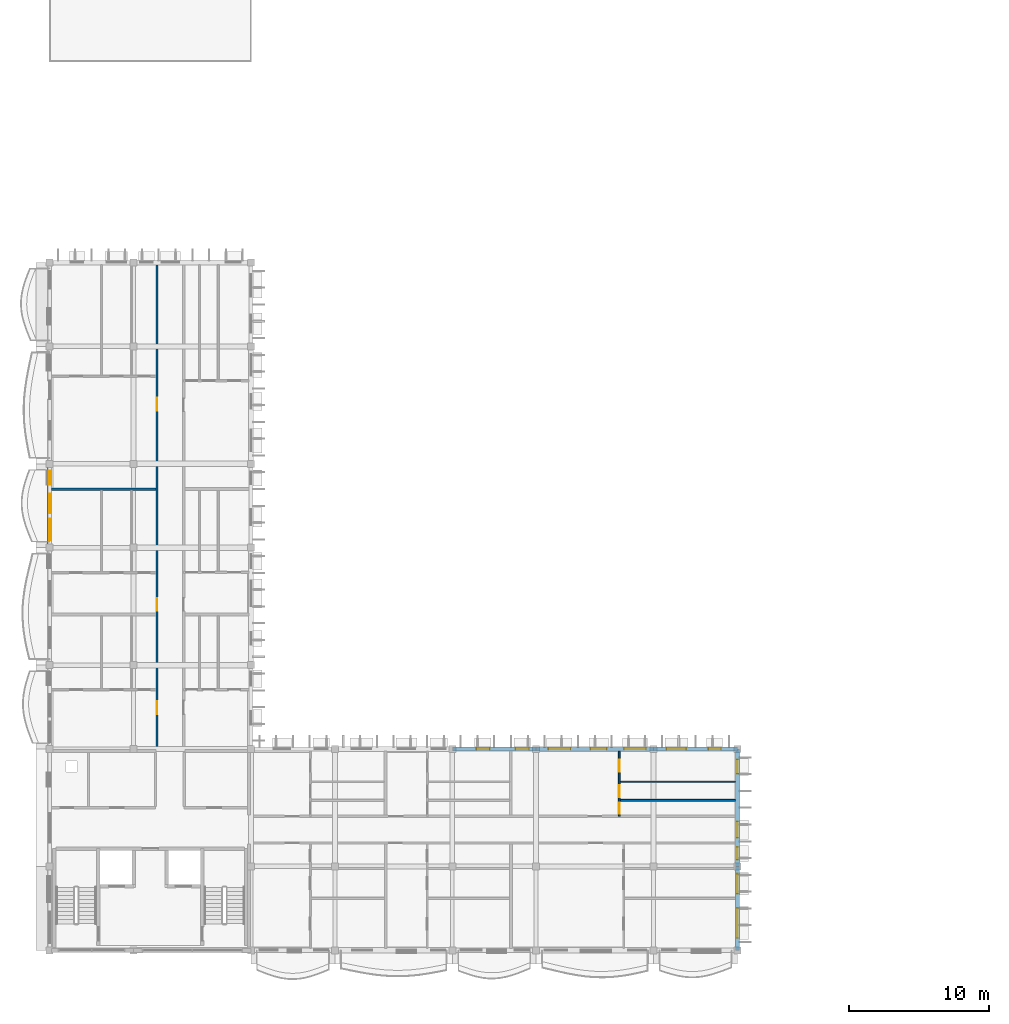
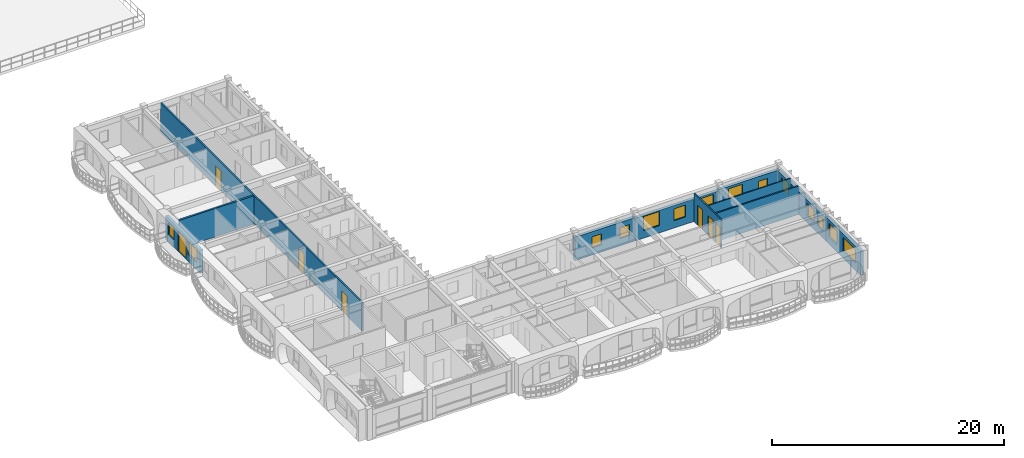
# One storey, part 17 of 66: 14 windows, 11 walls, 7 doors, 21 openings.
"""IFC4 building model written with IfcOpenShell, lengths in metres."""

from ifc_helpers import new_model, si_unit, direction, frame, frame_2d, origin, place, context, subcontext, project, spatial, rectangle, extrude, material, layer, layer_set, type_object, element, fill, save


model = new_model("IFC4")

# Units and contexts
model_context = context("Model", 3, precision=1e-05, world=origin(), true_north=direction((0.0, 1.0)))
body_context = subcontext(model_context, "Body", "Model", "MODEL_VIEW")
ifc_project = project(units=[si_unit("LENGTHUNIT", "METRE"), si_unit("AREAUNIT", "SQUARE_METRE"), si_unit("VOLUMEUNIT", "CUBIC_METRE"), si_unit("PLANEANGLEUNIT", "RADIAN"), si_unit("MASSUNIT", "GRAM", prefix="KILO"), si_unit("THERMODYNAMICTEMPERATUREUNIT", "KELVIN")], contexts=[model_context])

# Site, building, storey
site_placement = place(None, origin())
site = spatial("IfcSite", under=ifc_project, at=site_placement, CompositionType="ELEMENT")
building_placement = place(site_placement, origin())
building = spatial("IfcBuilding", under=site, at=building_placement, Name="Thalorik Housing Commons", CompositionType="ELEMENT")
storey_placement = place(building_placement, frame((0.0, 0.0, 21.300048828125)))
storey = spatial("IfcBuildingStorey", under=building, at=storey_placement, Name="L06", CompositionType="ELEMENT", Elevation=21.300048828125)

# Wall, openings, doors
ifc_material_1 = material(Name="Masonry fire-rated corridor wall", Category="masonry")
ifc_layer_1 = layer(ifc_material_1, 0.14990234375, Name="Masonry fire-rated corridor wall", Category="masonry")
ifc_layer_set_1 = layer_set([ifc_layer_1], Name="Masonry fire-rated corridor wall")
wall_type_1 = type_object("IfcWallType", Name="ARC-WAL-CORR-150", PredefinedType="PARTITIONING", material=ifc_layer_set_1)
wall_1_placement = place(storey_placement, frame((16.080078125, 22.659912109375, 0.0), z_axis=(0.0, 0.0, 1.0), x_axis=(0.0, 1.0, 0.0)))
wall_1 = element("IfcWall", 1, at=wall_1_placement, inside=storey, type_object=wall_type_1, Name="L06 Block C W Corridor Wall 1", PredefinedType="PARTITIONING", context=body_context, shape_type="SweptSolid", body=[
    extrude(rectangle(XDim=34.79296875, YDim=0.14990234375, at=frame_2d((17.396484375, 0.0))), origin(), (0.0, 0.0, 1.0), 3.0),
])
opening_1_placement = place(wall_1_placement, frame((2.626708984375, 0.0, 0.0)))
opening_1 = element("IfcOpeningElement", 2, at=opening_1_placement, cuts=wall_1, Name="Opening ID-1812", PredefinedType="OPENING", context=body_context, shape_type="SweptSolid", body=[
    extrude(rectangle(XDim=0.919921875, YDim=2.10009765625, at=frame_2d((0.4599609375, 1.050048828125))), frame((0.0, 0.0849609375, 0.0), z_axis=(0.0, -1.0, 0.0), x_axis=(1.0, 0.0, 0.0)), (0.0, 0.0, 1.0), 0.169921875),
])
opening_2_placement = place(wall_1_placement, frame((10.02001953125, 0.0, 0.0)))
opening_2 = element("IfcOpeningElement", 3, at=opening_2_placement, cuts=wall_1, Name="Opening ID-1813", PredefinedType="OPENING", context=body_context, shape_type="SweptSolid", body=[
    extrude(rectangle(XDim=0.919921875, YDim=2.10009765625, at=frame_2d((0.4599609375, 1.050048828125))), frame((0.0, 0.0849609375, 0.0), z_axis=(0.0, -1.0, 0.0), x_axis=(1.0, 0.0, 0.0)), (0.0, 0.0, 1.0), 0.169921875),
])
opening_3_placement = place(wall_1_placement, frame((24.354736328125, 0.0, 0.0)))
opening_3 = element("IfcOpeningElement", 4, at=opening_3_placement, cuts=wall_1, Name="Opening ID-1814", PredefinedType="OPENING", context=body_context, shape_type="SweptSolid", body=[
    extrude(rectangle(XDim=0.919921875, YDim=2.10009765625, at=frame_2d((0.4599609375, 1.050048828125))), frame((0.0, 0.0849609375, 0.0), z_axis=(0.0, -1.0, 0.0), x_axis=(1.0, 0.0, 0.0)), (0.0, 0.0, 1.0), 0.169921875),
])
ifc_material_2 = material(Name="Solid core hardwood timber", Category="wood")
door_type_1 = type_object("IfcDoorType", Name="ARC-DR-FD30-920", OperationType="NOTDEFINED", PredefinedType="DOOR", material=ifc_material_2)
door_1_placement = place(opening_1_placement, origin())
door_1 = element("IfcDoor", 5, at=door_1_placement, inside=storey, type_object=door_type_1, Name="L06 Flat CW-1A Entrance Door", OperationType="SINGLE_SWING_LEFT", OverallHeight=2.10009765625, OverallWidth=0.919921875, PredefinedType="DOOR", context=body_context, shape_type="SweptSolid", body=[
    extrude(rectangle(XDim=0.919921875, YDim=2.10009765625, at=frame_2d((0.4599609375, 1.050048828125))), frame((0.0, 0.02490234375, 0.0), z_axis=(0.0, -1.0, 0.0), x_axis=(1.0, 0.0, 0.0)), (0.0, 0.0, 1.0), 0.050048828125),
])
fill(opening_1, door_1)
door_2_placement = place(opening_2_placement, origin())
door_2 = element("IfcDoor", 6, at=door_2_placement, inside=storey, type_object=door_type_1, Name="L06 Flat CW-2A Entrance Door", OperationType="SINGLE_SWING_RIGHT", OverallHeight=2.10009765625, OverallWidth=0.919921875, PredefinedType="DOOR", context=body_context, shape_type="SweptSolid", body=[
    extrude(rectangle(XDim=0.919921875, YDim=2.10009765625, at=frame_2d((0.4599609375, 1.050048828125))), frame((0.0, 0.02490234375, 0.0), z_axis=(0.0, -1.0, 0.0), x_axis=(1.0, 0.0, 0.0)), (0.0, 0.0, 1.0), 0.050048828125),
])
fill(opening_2, door_2)
door_3_placement = place(opening_3_placement, origin())
door_3 = element("IfcDoor", 7, at=door_3_placement, inside=storey, type_object=door_type_1, Name="L06 Flat CW-3A Entrance Door", OperationType="SINGLE_SWING_LEFT", OverallHeight=2.10009765625, OverallWidth=0.919921875, PredefinedType="DOOR", context=body_context, shape_type="SweptSolid", body=[
    extrude(rectangle(XDim=0.919921875, YDim=2.10009765625, at=frame_2d((0.4599609375, 1.050048828125))), frame((0.0, 0.02490234375, 0.0), z_axis=(0.0, -1.0, 0.0), x_axis=(1.0, 0.0, 0.0)), (0.0, 0.0, 1.0), 0.050048828125),
])
fill(opening_3, door_3)

# Wall, openings, door, windows
ifc_material_3 = material(Name="White precast concrete C40/50", Category="concrete")
ifc_layer_2 = layer(ifc_material_3, 0.2900390625, Name="White precast concrete C40/50", Category="concrete")
ifc_layer_set_2 = layer_set([ifc_layer_2], Name="White precast concrete C40/50")
wall_type_2 = type_object("IfcWallType", Name="ARC-WAL-EXT-290", PredefinedType="STANDARD", material=ifc_layer_set_2)
wall_2_placement = place(storey_placement, frame((8.39990234375, 43.199951171875, 0.0), z_axis=(0.0, 0.0, 1.0), x_axis=(0.0, -1.0, 0.0)))
wall_2 = element("IfcWall", 8, at=wall_2_placement, inside=storey, type_object=wall_type_2, Name="L06 Exterior Wall WAL-EXT-L06-C-0998", PredefinedType="STANDARD", context=body_context, shape_type="SweptSolid", body=[
    extrude(rectangle(XDim=6.0, YDim=0.2900390625, at=frame_2d((3.0, 0.0))), origin(), (0.0, 0.0, 1.0), 2.445068359375),
])
opening_4_placement = place(wall_2_placement, frame((2.139892578125, 0.0, 0.0)))
opening_4 = element("IfcOpeningElement", 9, at=opening_4_placement, cuts=wall_2, Name="Opening ED-0330", PredefinedType="OPENING", context=body_context, shape_type="SweptSolid", body=[
    extrude(rectangle(XDim=1.39990234375, YDim=2.199951171875, at=frame_2d((0.699951171875, 1.10009765625))), frame((0.0, 0.155029296875, 0.0), z_axis=(0.0, -1.0, 0.0), x_axis=(1.0, 0.0, 0.0)), (0.0, 0.0, 1.0), 0.31005859375),
])
opening_5_placement = place(wall_2_placement, frame((0.5, 0.0, 0.780029296875)))
opening_5 = element("IfcOpeningElement", 10, at=opening_5_placement, cuts=wall_2, Name="Opening W-02", PredefinedType="OPENING", context=body_context, shape_type="SweptSolid", body=[
    extrude(rectangle(XDim=1.0, YDim=1.25, at=frame_2d((0.5, 0.625))), frame((0.0, 0.155029296875, 0.0), z_axis=(0.0, -1.0, 0.0), x_axis=(1.0, 0.0, 0.0)), (0.0, 0.0, 1.0), 0.31005859375),
])
opening_6_placement = place(wall_2_placement, frame((3.93994140625, 0.0, 0.780029296875)))
opening_6 = element("IfcOpeningElement", 11, at=opening_6_placement, cuts=wall_2, Name="Opening W-52", PredefinedType="OPENING", context=body_context, shape_type="SweptSolid", body=[
    extrude(rectangle(XDim=1.52001953125, YDim=1.419921875, at=frame_2d((0.760009765625, 0.7099609375))), frame((0.0, 0.155029296875, 0.0), z_axis=(0.0, -1.0, 0.0), x_axis=(1.0, 0.0, 0.0)), (0.0, 0.0, 1.0), 0.31005859375),
])
ifc_material_4 = material(Name="Anodised aluminium and laminated safety glass", Category="aluminium")
door_type_2 = type_object("IfcDoorType", Name="ARC-DR-BAL-1400", OperationType="NOTDEFINED", PredefinedType="DOOR", material=ifc_material_4)
door_4_placement = place(opening_4_placement, frame((1.39990234375, 0.0, 0.0), z_axis=(0.0, 0.0, 1.0), x_axis=(-1.0, 0.0, 0.0)))
door_4 = element("IfcDoor", 12, at=door_4_placement, inside=storey, type_object=door_type_2, Name="L06 Block C Balcony Glazed Door", OperationType="SLIDING_TO_LEFT", OverallHeight=2.199951171875, OverallWidth=1.39990234375, PredefinedType="DOOR", context=body_context, shape_type="SweptSolid", body=[
    extrude(rectangle(XDim=1.39990234375, YDim=2.199951171875, at=frame_2d((0.699951171875, 1.10009765625))), frame((0.0, 0.02490234375, 0.0), z_axis=(0.0, -1.0, 0.0), x_axis=(1.0, 0.0, 0.0)), (0.0, 0.0, 1.0), 0.050048828125),
])
fill(opening_4, door_4)
ifc_material_5 = material(Name="Anodised aluminium and solar-control low-E glass", Category="aluminium")
window_type_1 = type_object("IfcWindowType", Name="ARC-WIN-02", PartitioningType="SINGLE_PANEL", PredefinedType="WINDOW", material=ifc_material_5)
window_1_placement = place(opening_5_placement, origin())
window_1 = element("IfcWindow", 13, at=window_1_placement, inside=storey, type_object=window_type_1, Name="L06 Facade Window 1845", OverallHeight=1.25, OverallWidth=1.0, PartitioningType="SINGLE_PANEL", PredefinedType="WINDOW", context=body_context, shape_type="SweptSolid", body=[
    extrude(rectangle(XDim=1.0, YDim=1.25, at=frame_2d((0.5, 0.625))), frame((0.0, 0.030029296875, 0.0), z_axis=(0.0, -1.0, 0.0), x_axis=(1.0, 0.0, 0.0)), (0.0, 0.0, 1.0), 0.06005859375),
])
fill(opening_5, window_1)
window_type_2 = type_object("IfcWindowType", Name="ARC-WIN-52", PartitioningType="SINGLE_PANEL", PredefinedType="WINDOW", material=ifc_material_5)
window_2_placement = place(opening_6_placement, origin())
window_2 = element("IfcWindow", 14, at=window_2_placement, inside=storey, type_object=window_type_2, Name="L06 Facade Window 1846", OverallHeight=1.419921875, OverallWidth=1.52001953125, PartitioningType="SINGLE_PANEL", PredefinedType="WINDOW", context=body_context, shape_type="SweptSolid", body=[
    extrude(rectangle(XDim=1.52001953125, YDim=1.419921875, at=frame_2d((0.760009765625, 0.7099609375))), frame((0.0, 0.030029296875, 0.0), z_axis=(0.0, -1.0, 0.0), x_axis=(1.0, 0.0, 0.0)), (0.0, 0.0, 1.0), 0.06005859375),
])
fill(opening_6, window_2)

# Wall, openings, windows
wall_3_placement = place(storey_placement, frame((57.60009765625, 8.39990234375, 0.0), z_axis=(0.0, 0.0, 1.0), x_axis=(0.0, 1.0, 0.0)))
wall_3 = element("IfcWall", 15, at=wall_3_placement, inside=storey, type_object=wall_type_2, Name="L06 Exterior Wall WAL-EXT-L06-C-1010", PredefinedType="STANDARD", context=body_context, shape_type="SweptSolid", body=[
    extrude(rectangle(XDim=6.0, YDim=0.2900390625, at=frame_2d((3.0, 0.0))), origin(), (0.0, 0.0, 1.0), 2.574951171875),
])
opening_7_placement = place(wall_3_placement, frame((0.893798828125, 0.0, 0.780029296875)))
opening_7 = element("IfcOpeningElement", 16, at=opening_7_placement, cuts=wall_3, Name="Opening W-64", PredefinedType="OPENING", context=body_context, shape_type="SweptSolid", body=[
    extrude(rectangle(XDim=2.1201171875, YDim=1.43994140625, at=frame_2d((1.06005859375, 0.719970703125))), frame((0.0, 0.155029296875, 0.0), z_axis=(0.0, -1.0, 0.0), x_axis=(1.0, 0.0, 0.0)), (0.0, 0.0, 1.0), 0.31005859375),
])
opening_8_placement = place(wall_3_placement, frame((4.063720703125, 0.0, 0.780029296875)))
opening_8 = element("IfcOpeningElement", 17, at=opening_8_placement, cuts=wall_3, Name="Opening W-08", PredefinedType="OPENING", context=body_context, shape_type="SweptSolid", body=[
    extrude(rectangle(XDim=1.39990234375, YDim=1.449951171875, at=frame_2d((0.699951171875, 0.72509765625))), frame((0.0, 0.155029296875, 0.0), z_axis=(0.0, -1.0, 0.0), x_axis=(1.0, 0.0, 0.0)), (0.0, 0.0, 1.0), 0.31005859375),
])
window_type_3 = type_object("IfcWindowType", Name="ARC-WIN-08", PartitioningType="SINGLE_PANEL", PredefinedType="WINDOW", material=ifc_material_5)
window_3_placement = place(opening_8_placement, origin())
window_3 = element("IfcWindow", 18, at=window_3_placement, inside=storey, type_object=window_type_3, Name="L06 Facade Window 1865", OverallHeight=1.449951171875, OverallWidth=1.39990234375, PartitioningType="SINGLE_PANEL", PredefinedType="WINDOW", context=body_context, shape_type="SweptSolid", body=[
    extrude(rectangle(XDim=1.39990234375, YDim=1.449951171875, at=frame_2d((0.699951171875, 0.72509765625))), frame((0.0, 0.030029296875, 0.0), z_axis=(0.0, -1.0, 0.0), x_axis=(1.0, 0.0, 0.0)), (0.0, 0.0, 1.0), 0.06005859375),
])
fill(opening_8, window_3)
window_type_4 = type_object("IfcWindowType", Name="ARC-WIN-64", PartitioningType="DOUBLE_PANEL_VERTICAL", PredefinedType="WINDOW", material=ifc_material_5)
window_4_placement = place(opening_7_placement, origin())
window_4 = element("IfcWindow", 19, at=window_4_placement, inside=storey, type_object=window_type_4, Name="L06 Facade Window 1864", OverallHeight=1.43994140625, OverallWidth=2.1201171875, PartitioningType="DOUBLE_PANEL_VERTICAL", PredefinedType="WINDOW", context=body_context, shape_type="SweptSolid", body=[
    extrude(rectangle(XDim=2.1201171875, YDim=1.43994140625, at=frame_2d((1.06005859375, 0.719970703125))), frame((0.0, 0.030029296875, 0.0), z_axis=(0.0, -1.0, 0.0), x_axis=(1.0, 0.0, 0.0)), (0.0, 0.0, 1.0), 0.06005859375),
])
fill(opening_7, window_4)

wall_4_placement = place(storey_placement, frame((57.60009765625, 14.39990234375, 0.0), z_axis=(0.0, 0.0, 1.0), x_axis=(0.0, 1.0, 0.0)))
wall_4 = element("IfcWall", 20, at=wall_4_placement, inside=storey, type_object=wall_type_2, Name="L06 Exterior Wall WAL-EXT-L06-C-1011", PredefinedType="STANDARD", context=body_context, shape_type="SweptSolid", body=[
    extrude(rectangle(XDim=8.400146484375, YDim=0.2900390625, at=frame_2d((4.2001953125, 0.0))), origin(), (0.0, 0.0, 1.0), 2.425048828125),
])
opening_9_placement = place(wall_4_placement, frame((0.485107421875, 0.0, 0.780029296875)))
opening_9 = element("IfcOpeningElement", 21, at=opening_9_placement, cuts=wall_4, Name="Opening W-01", PredefinedType="OPENING", context=body_context, shape_type="SweptSolid", body=[
    extrude(rectangle(XDim=0.89990234375, YDim=1.199951171875, at=frame_2d((0.449951171875, 0.60009765625))), frame((0.0, 0.155029296875, 0.0), z_axis=(0.0, -1.0, 0.0), x_axis=(1.0, 0.0, 0.0)), (0.0, 0.0, 1.0), 0.31005859375),
])
opening_10_placement = place(wall_4_placement, frame((2.054931640625, 0.0, 0.780029296875)))
opening_10 = element("IfcOpeningElement", 22, at=opening_10_placement, cuts=wall_4, Name="Opening W-45", PredefinedType="OPENING", context=body_context, shape_type="SweptSolid", body=[
    extrude(rectangle(XDim=1.14990234375, YDim=1.25, at=frame_2d((0.574951171875, 0.625))), frame((0.0, 0.155029296875, 0.0), z_axis=(0.0, -1.0, 0.0), x_axis=(1.0, 0.0, 0.0)), (0.0, 0.0, 1.0), 0.31005859375),
])
opening_11_placement = place(wall_4_placement, frame((6.632568359375, 0.0, 0.780029296875)))
opening_11 = element("IfcOpeningElement", 23, at=opening_11_placement, cuts=wall_4, Name="Opening W-02", PredefinedType="OPENING", context=body_context, shape_type="SweptSolid", body=[
    extrude(rectangle(XDim=1.0, YDim=1.25, at=frame_2d((0.5, 0.625))), frame((0.0, 0.155029296875, 0.0), z_axis=(0.0, -1.0, 0.0), x_axis=(1.0, 0.0, 0.0)), (0.0, 0.0, 1.0), 0.31005859375),
])
window_type_5 = type_object("IfcWindowType", Name="ARC-WIN-01", PartitioningType="SINGLE_PANEL", PredefinedType="WINDOW", material=ifc_material_5)
window_5_placement = place(opening_9_placement, origin())
window_5 = element("IfcWindow", 24, at=window_5_placement, inside=storey, type_object=window_type_5, Name="L06 Facade Window 1866", OverallHeight=1.199951171875, OverallWidth=0.89990234375, PartitioningType="SINGLE_PANEL", PredefinedType="WINDOW", context=body_context, shape_type="SweptSolid", body=[
    extrude(rectangle(XDim=0.89990234375, YDim=1.199951171875, at=frame_2d((0.449951171875, 0.60009765625))), frame((0.0, 0.030029296875, 0.0), z_axis=(0.0, -1.0, 0.0), x_axis=(1.0, 0.0, 0.0)), (0.0, 0.0, 1.0), 0.06005859375),
])
fill(opening_9, window_5)
window_6_placement = place(opening_11_placement, origin())
window_6 = element("IfcWindow", 25, at=window_6_placement, inside=storey, type_object=window_type_1, Name="L06 Facade Window 1868", OverallHeight=1.25, OverallWidth=1.0, PartitioningType="SINGLE_PANEL", PredefinedType="WINDOW", context=body_context, shape_type="SweptSolid", body=[
    extrude(rectangle(XDim=1.0, YDim=1.25, at=frame_2d((0.5, 0.625))), frame((0.0, 0.030029296875, 0.0), z_axis=(0.0, -1.0, 0.0), x_axis=(1.0, 0.0, 0.0)), (0.0, 0.0, 1.0), 0.06005859375),
])
fill(opening_11, window_6)
window_type_6 = type_object("IfcWindowType", Name="ARC-WIN-45", PartitioningType="SINGLE_PANEL", PredefinedType="WINDOW", material=ifc_material_5)
window_7_placement = place(opening_10_placement, origin())
window_7 = element("IfcWindow", 26, at=window_7_placement, inside=storey, type_object=window_type_6, Name="L06 Facade Window 1867", OverallHeight=1.25, OverallWidth=1.14990234375, PartitioningType="SINGLE_PANEL", PredefinedType="WINDOW", context=body_context, shape_type="SweptSolid", body=[
    extrude(rectangle(XDim=1.14990234375, YDim=1.25, at=frame_2d((0.574951171875, 0.625))), frame((0.0, 0.030029296875, 0.0), z_axis=(0.0, -1.0, 0.0), x_axis=(1.0, 0.0, 0.0)), (0.0, 0.0, 1.0), 0.06005859375),
])
fill(opening_10, window_7)

wall_5_placement = place(storey_placement, frame((57.60009765625, 22.800048828125, 0.0), z_axis=(0.0, 0.0, 1.0), x_axis=(-1.0, 0.0, 0.0)))
wall_5 = element("IfcWall", 27, at=wall_5_placement, inside=storey, type_object=wall_type_2, Name="L06 Exterior Wall WAL-EXT-L06-C-1012", PredefinedType="STANDARD", context=body_context, shape_type="SweptSolid", body=[
    extrude(rectangle(XDim=6.0, YDim=0.2900390625, at=frame_2d((3.0, 0.0))), origin(), (0.0, 0.0, 1.0), 2.474853515625),
])
opening_12_placement = place(wall_5_placement, frame((1.179931640625, 0.0, 0.780029296875)))
opening_12 = element("IfcOpeningElement", 28, at=opening_12_placement, cuts=wall_5, Name="Opening W-01", PredefinedType="OPENING", context=body_context, shape_type="SweptSolid", body=[
    extrude(rectangle(XDim=0.89990234375, YDim=1.199951171875, at=frame_2d((0.449951171875, 0.60009765625))), frame((0.0, 0.155029296875, 0.0), z_axis=(0.0, -1.0, 0.0), x_axis=(1.0, 0.0, 0.0)), (0.0, 0.0, 1.0), 0.31005859375),
])
opening_13_placement = place(wall_5_placement, frame((3.669921875, 0.0, 0.780029296875)))
opening_13 = element("IfcOpeningElement", 29, at=opening_13_placement, cuts=wall_5, Name="Opening W-08", PredefinedType="OPENING", context=body_context, shape_type="SweptSolid", body=[
    extrude(rectangle(XDim=1.39990234375, YDim=1.449951171875, at=frame_2d((0.699951171875, 0.72509765625))), frame((0.0, 0.155029296875, 0.0), z_axis=(0.0, -1.0, 0.0), x_axis=(1.0, 0.0, 0.0)), (0.0, 0.0, 1.0), 0.31005859375),
])
window_8_placement = place(opening_12_placement, origin())
window_8 = element("IfcWindow", 30, at=window_8_placement, inside=storey, type_object=window_type_5, Name="L06 Facade Window 1869", OverallHeight=1.199951171875, OverallWidth=0.89990234375, PartitioningType="SINGLE_PANEL", PredefinedType="WINDOW", context=body_context, shape_type="SweptSolid", body=[
    extrude(rectangle(XDim=0.89990234375, YDim=1.199951171875, at=frame_2d((0.449951171875, 0.60009765625))), frame((0.0, 0.030029296875, 0.0), z_axis=(0.0, -1.0, 0.0), x_axis=(1.0, 0.0, 0.0)), (0.0, 0.0, 1.0), 0.06005859375),
])
fill(opening_12, window_8)
window_9_placement = place(opening_13_placement, origin())
window_9 = element("IfcWindow", 31, at=window_9_placement, inside=storey, type_object=window_type_3, Name="L06 Facade Window 1870", OverallHeight=1.449951171875, OverallWidth=1.39990234375, PartitioningType="SINGLE_PANEL", PredefinedType="WINDOW", context=body_context, shape_type="SweptSolid", body=[
    extrude(rectangle(XDim=1.39990234375, YDim=1.449951171875, at=frame_2d((0.699951171875, 0.72509765625))), frame((0.0, 0.030029296875, 0.0), z_axis=(0.0, -1.0, 0.0), x_axis=(1.0, 0.0, 0.0)), (0.0, 0.0, 1.0), 0.06005859375),
])
fill(opening_13, window_9)

wall_6_placement = place(storey_placement, frame((51.60009765625, 22.800048828125, 0.0), z_axis=(0.0, 0.0, 1.0), x_axis=(-1.0, 0.0, 0.0)))
wall_6 = element("IfcWall", 32, at=wall_6_placement, inside=storey, type_object=wall_type_2, Name="L06 Exterior Wall WAL-EXT-L06-C-1013", PredefinedType="STANDARD", context=body_context, shape_type="SweptSolid", body=[
    extrude(rectangle(XDim=8.400146484375, YDim=0.2900390625, at=frame_2d((4.2001953125, 0.0))), origin(), (0.0, 0.0, 1.0), 2.375),
])
opening_14_placement = place(wall_6_placement, frame((0.549072265625, 0.0, 0.780029296875)))
opening_14 = element("IfcOpeningElement", 33, at=opening_14_placement, cuts=wall_6, Name="Opening W-12", PredefinedType="OPENING", context=body_context, shape_type="SweptSolid", body=[
    extrude(rectangle(XDim=1.550048828125, YDim=1.39990234375, at=frame_2d((0.77490234375, 0.699951171875))), frame((0.0, 0.155029296875, 0.0), z_axis=(0.0, -1.0, 0.0), x_axis=(1.0, 0.0, 0.0)), (0.0, 0.0, 1.0), 0.31005859375),
])
opening_15_placement = place(wall_6_placement, frame((3.35595703125, 0.0, 0.780029296875)))
opening_15 = element("IfcOpeningElement", 34, at=opening_15_placement, cuts=wall_6, Name="Opening W-45", PredefinedType="OPENING", context=body_context, shape_type="SweptSolid", body=[
    extrude(rectangle(XDim=1.14990234375, YDim=1.25, at=frame_2d((0.574951171875, 0.625))), frame((0.0, 0.155029296875, 0.0), z_axis=(0.0, -1.0, 0.0), x_axis=(1.0, 0.0, 0.0)), (0.0, 0.0, 1.0), 0.31005859375),
])
opening_16_placement = place(wall_6_placement, frame((5.947021484375, 0.0, 0.780029296875)))
opening_16 = element("IfcOpeningElement", 35, at=opening_16_placement, cuts=wall_6, Name="Opening W-53", PredefinedType="OPENING", context=body_context, shape_type="SweptSolid", body=[
    extrude(rectangle(XDim=1.580078125, YDim=1.47998046875, at=frame_2d((0.7900390625, 0.739990234375))), frame((0.0, 0.155029296875, 0.0), z_axis=(0.0, -1.0, 0.0), x_axis=(1.0, 0.0, 0.0)), (0.0, 0.0, 1.0), 0.31005859375),
])
window_type_7 = type_object("IfcWindowType", Name="ARC-WIN-12", PartitioningType="SINGLE_PANEL", PredefinedType="WINDOW", material=ifc_material_5)
window_10_placement = place(opening_14_placement, origin())
window_10 = element("IfcWindow", 36, at=window_10_placement, inside=storey, type_object=window_type_7, Name="L06 Facade Window 1871", OverallHeight=1.39990234375, OverallWidth=1.550048828125, PartitioningType="SINGLE_PANEL", PredefinedType="WINDOW", context=body_context, shape_type="SweptSolid", body=[
    extrude(rectangle(XDim=1.550048828125, YDim=1.39990234375, at=frame_2d((0.77490234375, 0.699951171875))), frame((0.0, 0.030029296875, 0.0), z_axis=(0.0, -1.0, 0.0), x_axis=(1.0, 0.0, 0.0)), (0.0, 0.0, 1.0), 0.06005859375),
])
fill(opening_14, window_10)
window_11_placement = place(opening_15_placement, origin())
window_11 = element("IfcWindow", 37, at=window_11_placement, inside=storey, type_object=window_type_6, Name="L06 Facade Window 1872", OverallHeight=1.25, OverallWidth=1.14990234375, PartitioningType="SINGLE_PANEL", PredefinedType="WINDOW", context=body_context, shape_type="SweptSolid", body=[
    extrude(rectangle(XDim=1.14990234375, YDim=1.25, at=frame_2d((0.574951171875, 0.625))), frame((0.0, 0.030029296875, 0.0), z_axis=(0.0, -1.0, 0.0), x_axis=(1.0, 0.0, 0.0)), (0.0, 0.0, 1.0), 0.06005859375),
])
fill(opening_15, window_11)
window_type_8 = type_object("IfcWindowType", Name="ARC-WIN-53", PartitioningType="SINGLE_PANEL", PredefinedType="WINDOW", material=ifc_material_5)
window_12_placement = place(opening_16_placement, origin())
window_12 = element("IfcWindow", 38, at=window_12_placement, inside=storey, type_object=window_type_8, Name="L06 Facade Window 1873", OverallHeight=1.47998046875, OverallWidth=1.580078125, PartitioningType="SINGLE_PANEL", PredefinedType="WINDOW", context=body_context, shape_type="SweptSolid", body=[
    extrude(rectangle(XDim=1.580078125, YDim=1.47998046875, at=frame_2d((0.7900390625, 0.739990234375))), frame((0.0, 0.030029296875, 0.0), z_axis=(0.0, -1.0, 0.0), x_axis=(1.0, 0.0, 0.0)), (0.0, 0.0, 1.0), 0.06005859375),
])
fill(opening_16, window_12)

wall_7_placement = place(storey_placement, frame((43.199951171875, 22.800048828125, 0.0), z_axis=(0.0, 0.0, 1.0), x_axis=(-1.0, 0.0, 0.0)))
wall_7 = element("IfcWall", 39, at=wall_7_placement, inside=storey, type_object=wall_type_2, Name="L06 Exterior Wall WAL-EXT-L06-C-1014", PredefinedType="STANDARD", context=body_context, shape_type="SweptSolid", body=[
    extrude(rectangle(XDim=6.0, YDim=0.2900390625, at=frame_2d((3.0, 0.0))), origin(), (0.0, 0.0, 1.0), 2.474853515625),
])
opening_17_placement = place(wall_7_placement, frame((0.52490234375, 0.0, 0.780029296875)))
opening_17 = element("IfcOpeningElement", 40, at=opening_17_placement, cuts=wall_7, Name="Opening W-43", PredefinedType="OPENING", context=body_context, shape_type="SweptSolid", body=[
    extrude(rectangle(XDim=0.949951171875, YDim=1.14990234375, at=frame_2d((0.47509765625, 0.574951171875))), frame((0.0, 0.155029296875, 0.0), z_axis=(0.0, -1.0, 0.0), x_axis=(1.0, 0.0, 0.0)), (0.0, 0.0, 1.0), 0.31005859375),
])
opening_18_placement = place(wall_7_placement, frame((3.3349609375, 0.0, 0.780029296875)))
opening_18 = element("IfcOpeningElement", 41, at=opening_18_placement, cuts=wall_7, Name="Opening W-43", PredefinedType="OPENING", context=body_context, shape_type="SweptSolid", body=[
    extrude(rectangle(XDim=0.949951171875, YDim=1.14990234375, at=frame_2d((0.47509765625, 0.574951171875))), frame((0.0, 0.155029296875, 0.0), z_axis=(0.0, -1.0, 0.0), x_axis=(1.0, 0.0, 0.0)), (0.0, 0.0, 1.0), 0.31005859375),
])
window_type_9 = type_object("IfcWindowType", Name="ARC-WIN-43", PartitioningType="SINGLE_PANEL", PredefinedType="WINDOW", material=ifc_material_5)
window_13_placement = place(opening_17_placement, origin())
window_13 = element("IfcWindow", 42, at=window_13_placement, inside=storey, type_object=window_type_9, Name="L06 Facade Window 1874", OverallHeight=1.14990234375, OverallWidth=0.949951171875, PartitioningType="SINGLE_PANEL", PredefinedType="WINDOW", context=body_context, shape_type="SweptSolid", body=[
    extrude(rectangle(XDim=0.949951171875, YDim=1.14990234375, at=frame_2d((0.47509765625, 0.574951171875))), frame((0.0, 0.030029296875, 0.0), z_axis=(0.0, -1.0, 0.0), x_axis=(1.0, 0.0, 0.0)), (0.0, 0.0, 1.0), 0.06005859375),
])
fill(opening_17, window_13)
window_14_placement = place(opening_18_placement, origin())
window_14 = element("IfcWindow", 43, at=window_14_placement, inside=storey, type_object=window_type_9, Name="L06 Facade Window 1875", OverallHeight=1.14990234375, OverallWidth=0.949951171875, PartitioningType="SINGLE_PANEL", PredefinedType="WINDOW", context=body_context, shape_type="SweptSolid", body=[
    extrude(rectangle(XDim=0.949951171875, YDim=1.14990234375, at=frame_2d((0.47509765625, 0.574951171875))), frame((0.0, 0.030029296875, 0.0), z_axis=(0.0, -1.0, 0.0), x_axis=(1.0, 0.0, 0.0)), (0.0, 0.0, 1.0), 0.06005859375),
])
fill(opening_18, window_14)

# Wall
ifc_material_6 = material(Name="Gypsum light stud partition", Category="masonry")
ifc_layer_3 = layer(ifc_material_6, 0.10009765625, Name="Gypsum light stud partition", Category="masonry")
ifc_layer_set_3 = layer_set([ifc_layer_3], Name="Gypsum light stud partition")
wall_type_3 = type_object("IfcWallType", Name="ARC-WAL-PART-100", PredefinedType="PARTITIONING", material=ifc_layer_set_3)
wall_8_placement = place(storey_placement, frame((49.201416015625, 20.455078125, 0.0), z_axis=(0.0, 0.0, 1.0), x_axis=(1.0, 0.0, 0.0)))
element("IfcWall", 44, at=wall_8_placement, inside=storey, type_object=wall_type_3, Name="L06 Unit 3B Bedroom Partition", PredefinedType="PARTITIONING", context=body_context, shape_type="SweptSolid", body=[
    extrude(rectangle(XDim=8.25146484375, YDim=0.10009765625, at=frame_2d((4.125732421875, 0.0))), origin(), (0.0, 0.0, 1.0), 3.0),
])

# Wall, openings, doors
ifc_material_7 = material(Name="Gypsum moisture-resistant partition", Category="masonry")
ifc_layer_4 = layer(ifc_material_7, 0.114990234375, Name="Gypsum moisture-resistant partition", Category="masonry")
ifc_layer_set_4 = layer_set([ifc_layer_4], Name="Gypsum moisture-resistant partition")
wall_type_4 = type_object("IfcWallType", Name="ARC-WAL-PART-115", PredefinedType="PARTITIONING", material=ifc_layer_set_4)
wall_9_placement = place(storey_placement, frame((49.14208984375, 17.97998046875, 0.0), z_axis=(0.0, 0.0, 1.0), x_axis=(0.0, 1.0, 0.0)))
wall_9 = element("IfcWall", 45, at=wall_9_placement, inside=storey, type_object=wall_type_4, Name="L06 Unit 3B Spine Partition", PredefinedType="PARTITIONING", context=body_context, shape_type="SweptSolid", body=[
    extrude(rectangle(XDim=4.673095703125, YDim=0.114990234375, at=frame_2d((2.33642578125, 0.0))), origin(), (0.0, 0.0, 1.0), 3.0),
])
opening_19_placement = place(wall_9_placement, frame((0.171142578125, 0.0, 0.0)))
opening_19 = element("IfcOpeningElement", 46, at=opening_19_placement, cuts=wall_9, Name="Opening ID-1833", PredefinedType="OPENING", context=body_context, shape_type="SweptSolid", body=[
    extrude(rectangle(XDim=0.800048828125, YDim=2.10009765625, at=frame_2d((0.39990234375, 1.050048828125))), frame((0.0, 0.0673828125, 0.0), z_axis=(0.0, -1.0, 0.0), x_axis=(1.0, 0.0, 0.0)), (0.0, 0.0, 1.0), 0.135009765625),
])
opening_20_placement = place(wall_9_placement, frame((1.3837890625, 0.0, 0.0)))
opening_20 = element("IfcOpeningElement", 47, at=opening_20_placement, cuts=wall_9, Name="Opening ID-1834", PredefinedType="OPENING", context=body_context, shape_type="SweptSolid", body=[
    extrude(rectangle(XDim=0.85009765625, YDim=2.10009765625, at=frame_2d((0.425048828125, 1.050048828125))), frame((0.0, 0.0673828125, 0.0), z_axis=(0.0, -1.0, 0.0), x_axis=(1.0, 0.0, 0.0)), (0.0, 0.0, 1.0), 0.135009765625),
])
opening_21_placement = place(wall_9_placement, frame((3.192626953125, 0.0, 0.0)))
opening_21 = element("IfcOpeningElement", 48, at=opening_21_placement, cuts=wall_9, Name="Opening ID-1835", PredefinedType="OPENING", context=body_context, shape_type="SweptSolid", body=[
    extrude(rectangle(XDim=0.85009765625, YDim=2.10009765625, at=frame_2d((0.425048828125, 1.050048828125))), frame((0.0, 0.0673828125, 0.0), z_axis=(0.0, -1.0, 0.0), x_axis=(1.0, 0.0, 0.0)), (0.0, 0.0, 1.0), 0.135009765625),
])
ifc_material_8 = material(Name="Moisture-resistant timber", Category="wood")
door_type_3 = type_object("IfcDoorType", Name="ARC-DR-INT-800", OperationType="NOTDEFINED", PredefinedType="DOOR", material=ifc_material_8)
door_5_placement = place(opening_19_placement, origin())
door_5 = element("IfcDoor", 49, at=door_5_placement, inside=storey, type_object=door_type_3, Name="L06 Flat Bathroom Door", OperationType="SINGLE_SWING_RIGHT", OverallHeight=2.10009765625, OverallWidth=0.800048828125, PredefinedType="DOOR", context=body_context, shape_type="SweptSolid", body=[
    extrude(rectangle(XDim=0.800048828125, YDim=2.10009765625, at=frame_2d((0.39990234375, 1.050048828125))), frame((0.0, 0.02490234375, 0.0), z_axis=(0.0, -1.0, 0.0), x_axis=(1.0, 0.0, 0.0)), (0.0, 0.0, 1.0), 0.050048828125),
])
fill(opening_19, door_5)
ifc_material_9 = material(Name="Engineered oak timber", Category="wood")
door_type_4 = type_object("IfcDoorType", Name="ARC-DR-INT-850", OperationType="NOTDEFINED", PredefinedType="DOOR", material=ifc_material_9)
door_6_placement = place(opening_20_placement, origin())
door_6 = element("IfcDoor", 50, at=door_6_placement, inside=storey, type_object=door_type_4, Name="L06 Galley Kitchen Door", OperationType="SINGLE_SWING_LEFT", OverallHeight=2.10009765625, OverallWidth=0.85009765625, PredefinedType="DOOR", context=body_context, shape_type="SweptSolid", body=[
    extrude(rectangle(XDim=0.85009765625, YDim=2.10009765625, at=frame_2d((0.425048828125, 1.050048828125))), frame((0.0, 0.02490234375, 0.0), z_axis=(0.0, -1.0, 0.0), x_axis=(1.0, 0.0, 0.0)), (0.0, 0.0, 1.0), 0.050048828125),
])
fill(opening_20, door_6)
door_7_placement = place(opening_21_placement, origin())
door_7 = element("IfcDoor", 51, at=door_7_placement, inside=storey, type_object=door_type_4, Name="L06 Double Bedroom Door", OperationType="SINGLE_SWING_RIGHT", OverallHeight=2.10009765625, OverallWidth=0.85009765625, PredefinedType="DOOR", context=body_context, shape_type="SweptSolid", body=[
    extrude(rectangle(XDim=0.85009765625, YDim=2.10009765625, at=frame_2d((0.425048828125, 1.050048828125))), frame((0.0, 0.02490234375, 0.0), z_axis=(0.0, -1.0, 0.0), x_axis=(1.0, 0.0, 0.0)), (0.0, 0.0, 1.0), 0.050048828125),
])
fill(opening_21, door_7)

# Walls
ifc_material_10 = material(Name="Ceramic masonry partition wall", Category="masonry")
ifc_layer_5 = layer(ifc_material_10, 0.139892578125, Name="Ceramic masonry partition wall", Category="masonry")
ifc_layer_set_5 = layer_set([ifc_layer_5], Name="Ceramic masonry partition wall")
wall_type_5 = type_object("IfcWallType", Name="ARC-WAL-PART-140", PredefinedType="PARTITIONING", material=ifc_layer_set_5)
wall_10_placement = place(storey_placement, frame((49.201416015625, 19.122314453125, 0.0), z_axis=(0.0, 0.0, 1.0), x_axis=(1.0, 0.0, 0.0)))
element("IfcWall", 52, at=wall_10_placement, inside=storey, type_object=wall_type_5, Name="L06 Unit 3B Wet Wall", PredefinedType="PARTITIONING", context=body_context, shape_type="SweptSolid", body=[
    extrude(rectangle(XDim=8.25146484375, YDim=0.139892578125, at=frame_2d((4.125732421875, 0.0))), origin(), (0.0, 0.0, 1.0), 3.0),
])
ifc_material_11 = material(Name="Masonry acoustic blockwork wall", Category="masonry")
ifc_layer_6 = layer(ifc_material_11, 0.18505859375, Name="Masonry acoustic blockwork wall", Category="masonry")
ifc_layer_set_6 = layer_set([ifc_layer_6], Name="Masonry acoustic blockwork wall")
wall_type_6 = type_object("IfcWallType", Name="ARC-WAL-PARTY-185", PredefinedType="PARTITIONING", material=ifc_layer_set_6)
wall_11_placement = place(storey_placement, frame((8.547119140625, 41.389892578125, 0.0), z_axis=(0.0, 0.0, 1.0), x_axis=(1.0, 0.0, 0.0)))
element("IfcWall", 53, at=wall_11_placement, inside=storey, type_object=wall_type_6, Name="L06 Inter-Tenancy Wall 2A", PredefinedType="PARTITIONING", context=body_context, shape_type="SweptSolid", body=[
    extrude(rectangle(XDim=7.455810546875, YDim=0.18505859375, at=frame_2d((3.72802734375, 0.0))), origin(), (0.0, 0.0, 1.0), 3.0),
])

save(model, "model.ifc")
